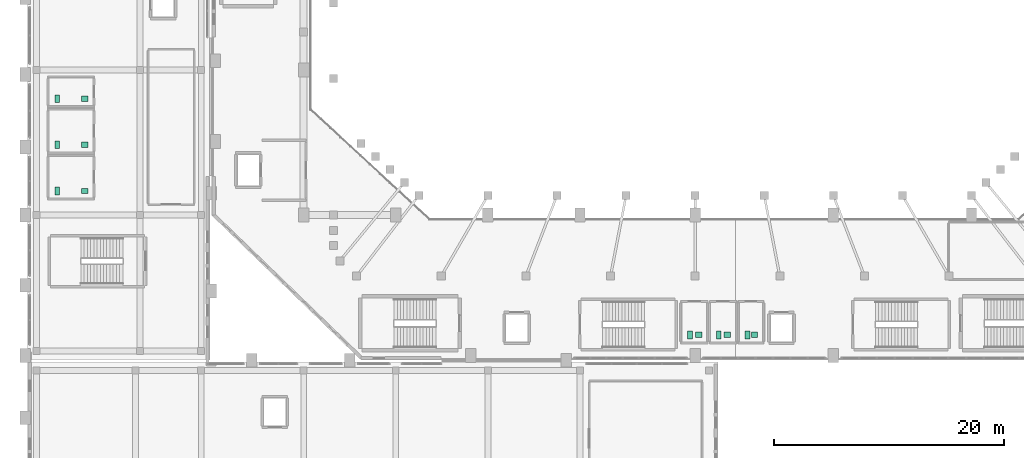
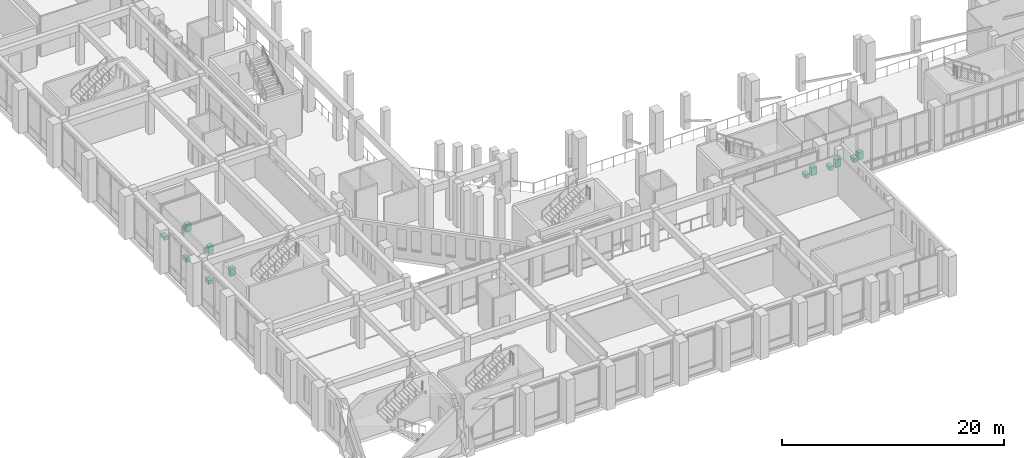
# One storey, part 126 of 126: 12 sanitary terminals.
"""IFC4 building model written with IfcOpenShell, lengths in metres."""

from ifc_helpers import new_model, si_unit, derived_unit, direction, frame, origin, origin_2d, place, context, subcontext, project, spatial, rectangle, extrude, material, type_object, element, save


model = new_model("IFC4")

# Units and contexts
model_context = context("Model", 3, precision=1e-05, world=origin(), true_north=direction((0.0, 1.0)))
body_context = subcontext(model_context, "Body", "Model", "MODEL_VIEW")
ifc_project = project(units=[si_unit("LENGTHUNIT", "METRE"), si_unit("AREAUNIT", "SQUARE_METRE"), si_unit("VOLUMEUNIT", "CUBIC_METRE"), si_unit("PLANEANGLEUNIT", "RADIAN"), si_unit("MASSUNIT", "GRAM", prefix="KILO"), derived_unit("THERMALTRANSMITTANCEUNIT", [(si_unit("MASSUNIT", "GRAM", prefix="KILO"), 1), (si_unit("TIMEUNIT", "SECOND"), -3), (si_unit("THERMODYNAMICTEMPERATUREUNIT", "KELVIN"), -1)])], contexts=[model_context])

# Site, building, storey
site_placement = place(None, origin())
site = spatial("IfcSite", under=ifc_project, at=site_placement, CompositionType="ELEMENT")
building_placement = place(site_placement, origin())
building = spatial("IfcBuilding", under=site, at=building_placement, Name="Valcora Ridge Arena", CompositionType="ELEMENT")
storey_placement = place(building_placement, frame((0.0, 0.0, 11.39990234375)))
storey = spatial("IfcBuildingStorey", under=building, at=storey_placement, Name="L02", CompositionType="ELEMENT", Elevation=11.39990234375)

# Sanitary terminals
ifc_material = material(Name="Vitreous china sanitary ceramic")
sanitary_terminal_type_1 = type_object("IfcSanitaryTerminalType", Name="TY-SANITARYTERMINAL-BASIN-PED-01", PredefinedType="WASHHANDBASIN", material=ifc_material)
for number, where, z_axis, x_axis, name in (
    (1, (58.300048828125, 22.199951171875, 0.0), (0.0, 0.0, 1.0), (1.0, 0.0, 0.0), "BASIN-PED-01 SAN-BS-0016"),
    (2, (60.800048828125, 22.199951171875, 0.0), (0.0, 0.0, 1.0), (1.0, 0.0, 0.0), "BASIN-PED-01 SAN-BS-0017"),
    (3, (63.14990234375, 22.199951171875, 0.0), (0.0, 0.0, 1.0), (1.0, 0.0, 0.0), "BASIN-PED-01 SAN-BS-0018"),
    (4, (5.0, 34.699951171875, 0.0), (0.0, 0.0, 1.0), (1.0, 0.0, 0.0), "BASIN-PED-01 SAN-BS-0019"),
    (5, (5.0, 38.699951171875, 0.0), (0.0, 0.0, 1.0), (1.0, 0.0, 0.0), "BASIN-PED-01 SAN-BS-0020"),
    (6, (5.0, 42.699951171875, 0.0), (0.0, 0.0, 1.0), (1.0, 0.0, 0.0), "BASIN-PED-01 SAN-BS-0021"),
):
    element("IfcSanitaryTerminal", number, at=place(storey_placement, frame(where, z_axis=z_axis, x_axis=x_axis)), inside=storey, type_object=sanitary_terminal_type_1, Name=name, PredefinedType="WASHHANDBASIN", context=body_context, shape_type="SweptSolid", body=[
        extrude(rectangle(XDim=0.550048828125, YDim=0.449951171875, at=origin_2d()), origin(), (0.0, 0.0, 1.0), 0.85009765625),
    ])
sanitary_terminal_type_2 = type_object("IfcSanitaryTerminalType", Name="TY-SANITARYTERMINAL-WC-PAN-01", PredefinedType="TOILETPAN", material=ifc_material)
for number, where, z_axis, x_axis, name in (
    (7, (57.550048828125, 22.199951171875, 0.000244140625), (0.0, 0.0, 1.0), (1.0, 0.0, 0.0), "WC-PAN-01 SAN-WC-0016"),
    (8, (60.050048828125, 22.199951171875, 0.000244140625), (0.0, 0.0, 1.0), (1.0, 0.0, 0.0), "WC-PAN-01 SAN-WC-0017"),
    (9, (62.550048828125, 22.199951171875, 0.000244140625), (0.0, 0.0, 1.0), (1.0, 0.0, 0.0), "WC-PAN-01 SAN-WC-0018"),
    (10, (2.60009765625, 34.699951171875, 0.000244140625), (0.0, 0.0, 1.0), (1.0, 0.0, 0.0), "WC-PAN-01 SAN-WC-0019"),
    (11, (2.60009765625, 38.699951171875, 0.000244140625), (0.0, 0.0, 1.0), (1.0, 0.0, 0.0), "WC-PAN-01 SAN-WC-0020"),
    (12, (2.60009765625, 42.699951171875, 0.000244140625), (0.0, 0.0, 1.0), (1.0, 0.0, 0.0), "WC-PAN-01 SAN-WC-0021"),
):
    element("IfcSanitaryTerminal", number, at=place(storey_placement, frame(where, z_axis=z_axis, x_axis=x_axis)), inside=storey, type_object=sanitary_terminal_type_2, Name=name, PredefinedType="TOILETPAN", context=body_context, shape_type="SweptSolid", body=[
        extrude(rectangle(XDim=0.419921875, YDim=0.679931640625, at=origin_2d()), origin(), (0.0, 0.0, 1.0), 0.419921875),
    ])

save(model, "model.ifc")
